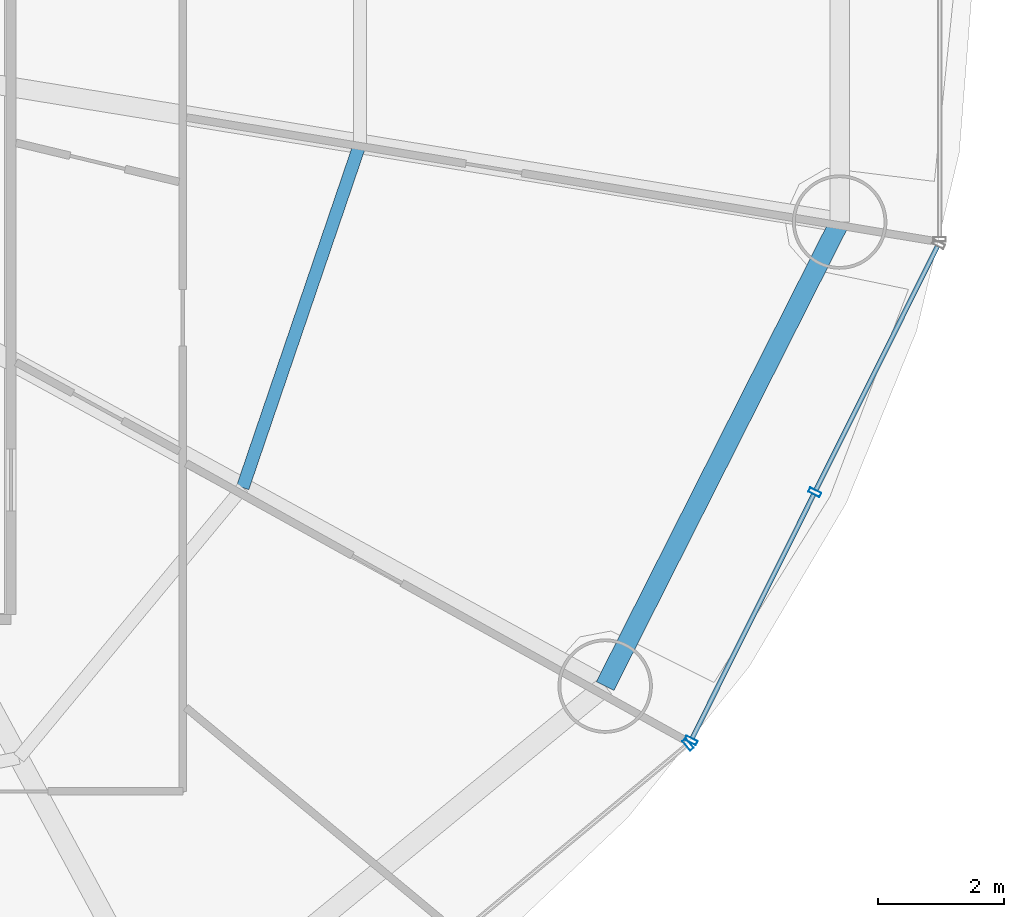
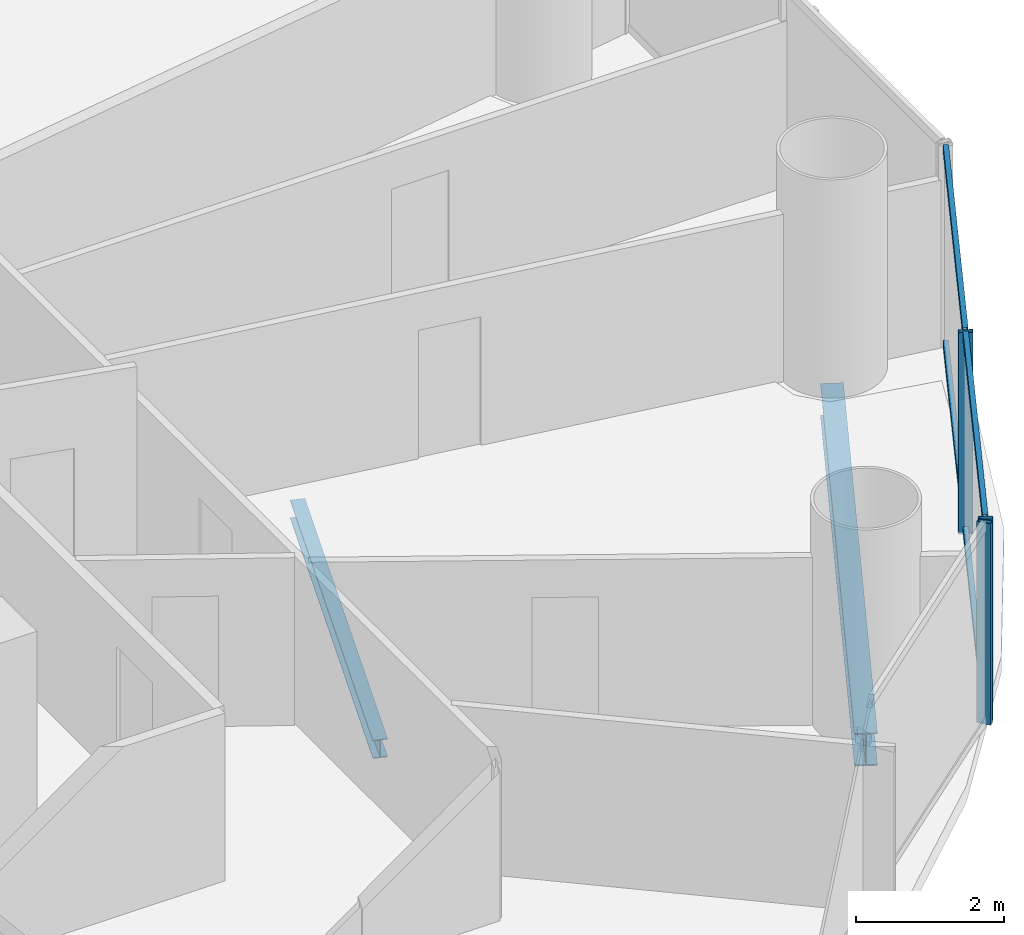
# One storey, part 13 of 29: 7 members, 2 beams, 2 elements without a shape of their own.
"""IFC4 building model written with IfcOpenShell, lengths in metres."""

from ifc_helpers import new_model, si_unit, direction, frame, origin, origin_2d, place, context, subcontext, project, spatial, hollow_rectangle, i_section, extrude, source, transform, mapped, material, material_profile, profile_set, type_object, element, aggregate, save


model = new_model("IFC4")

# Units and contexts
model_context = context("Model", 3, precision=1e-05, world=origin(), true_north=direction((-0.2419218956, 0.970295726276)))
body_context = subcontext(model_context, "Body", "Model", "MODEL_VIEW")
ifc_project = project(units=[si_unit("LENGTHUNIT", "METRE"), si_unit("AREAUNIT", "SQUARE_METRE"), si_unit("VOLUMEUNIT", "CUBIC_METRE"), si_unit("PLANEANGLEUNIT", "RADIAN"), si_unit("MASSUNIT", "GRAM", prefix="KILO")], contexts=[model_context])

# Site, building, storey
site_placement = place(None, origin())
site = spatial("IfcSite", under=ifc_project, at=site_placement, CompositionType="ELEMENT")
building_placement = place(site_placement, origin())
building = spatial("IfcBuilding", under=site, at=building_placement, Name="Cobrevalo Terracotta Tower", CompositionType="ELEMENT")
storey_placement = place(building_placement, frame((0.0, 0.0, 83.39990234375)))
storey = spatial("IfcBuildingStorey", under=building, at=storey_placement, Name="L21", CompositionType="ELEMENT", Elevation=83.39990234375)

# Beams
ifc_material_1 = material(Name="Steel S355", Category="steel")
ifc_material_profile_1 = material_profile(ifc_material_1, i_section(OverallWidth=0.2041015625, OverallDepth=0.305908203125, WebThickness=0.008544921875, FlangeThickness=0.0146484375, at=origin_2d()), Name="W 310x67")
ifc_profile_set_1 = profile_set([ifc_material_profile_1], Name="Steel S355")
beam_type_1 = type_object("IfcBeamType", Name="Structural Joist W 310x67 (Steel S355)", PredefinedType="JOIST", material=ifc_profile_set_1)
beam_1_placement = place(storey_placement, frame((52.987548828125, 18.591796875, -0.427978515625), z_axis=(0.322846227919, 0.946451431991, 0.0), x_axis=(-0.946451431991, 0.322846227919, 0.0)))
element("IfcBeam", 1, at=beam_1_placement, inside=storey, type_object=beam_type_1, Name="L21 circumferential secondary floor joist 15", PredefinedType="JOIST", context=body_context, shape_type="SweptSolid", body=[
    extrude(i_section(OverallWidth=0.2041015625, OverallDepth=0.305908203125, WebThickness=0.008544921875, FlangeThickness=0.0146484375, at=origin_2d()), origin(), (0.0, 0.0, 1.0), 5.77001953125),
])
ifc_material_profile_2 = material_profile(ifc_material_1, i_section(OverallWidth=0.31201171875, OverallDepth=0.54296875, WebThickness=0.0126953125, FlangeThickness=0.020263671875, at=origin_2d()), Name="W 530x150")
ifc_profile_set_2 = profile_set([ifc_material_profile_2], Name="Steel S355")
beam_type_2 = type_object("IfcBeamType", Name="Structural Spandrel W 530x150 (Steel S355)", PredefinedType="SPANDREL", material=ifc_profile_set_2)
beam_2_placement = place(storey_placement, frame((58.7451171875, 15.4384765625, -0.54638671875), z_axis=(0.451051982172, 0.892497680321, 0.0), x_axis=(-0.892497680321, 0.451051982172, 0.0)))
element("IfcBeam", 2, at=beam_2_placement, inside=storey, type_object=beam_type_2, Name="L21 perimeter ring spandrel 15", PredefinedType="SPANDREL", context=body_context, shape_type="SweptSolid", body=[
    extrude(i_section(OverallWidth=0.31201171875, OverallDepth=0.54296875, WebThickness=0.0126953125, FlangeThickness=0.020263671875, at=origin_2d()), origin(), (0.0, 0.0, 1.0), 8.259765625),
])

# Curtain wall, members
ifc_material_2 = material(Name="Anodized aluminium", Category="aluminium")
curtain_wall_type = type_object("IfcCurtainWallType", Name="Lower-tower unitised acoustic low-E curtain wall CW-U1", PredefinedType="NOTDEFINED", material=ifc_material_2)
curtain_wall_1_placement = place(storey_placement, origin())
curtain_wall_1 = element("IfcCurtainWall", 3, at=curtain_wall_1_placement, inside=storey, type_object=curtain_wall_type, Name="L21 curtain wall CW-L21-S15", PredefinedType="NOTDEFINED")
ifc_material_profile_3 = material_profile(ifc_material_2, hollow_rectangle(XDim=0.074951171875, YDim=0.14990234375, WallThickness=0.00439453125, at=origin_2d()), Name="CWT 75x150")
ifc_profile_set_3 = profile_set([ifc_material_profile_3], Name="Anodized aluminium")
member_type_1 = type_object("IfcMemberType", Name="Tower unitised aluminium transom 75x150", PredefinedType="USERDEFINED", material=ifc_profile_set_3)
shared_shape_1 = source(origin(), body_context, "Body", "SweptSolid", [
    extrude(hollow_rectangle(XDim=0.074951171875, YDim=0.14990234375, WallThickness=0.00439453125, at=origin_2d()), origin(), (0.0, 0.0, 1.0), 4.324951171875),
])
member_1_placement = place(storey_placement, frame((60.1279296875, 14.610107421875, 0.050048828125), z_axis=(0.446219838389, 0.894923379864, 0.0), x_axis=(-0.894923379864, 0.446219838389, 0.0)))
member_1 = element("IfcMember", 4, at=member_1_placement, type_object=member_type_1, Name="CW-L21-S15 transom B01-T1", ObjectType="TRANSOM", PredefinedType="USERDEFINED", context=body_context, shape_type="MappedRepresentation", body=[
    mapped(shared_shape_1, transform((0.0, 0.0, 0.0), scale=1.0)),
])
member_2_placement = place(storey_placement, frame((60.1279296875, 14.610107421875, 3.275146484375), z_axis=(0.446219838389, 0.894923379864, 0.0), x_axis=(-0.894923379864, 0.446219838389, 0.0)))
member_2 = element("IfcMember", 5, at=member_2_placement, type_object=member_type_1, Name="CW-L21-S15 transom B01-T2", ObjectType="TRANSOM", PredefinedType="USERDEFINED", context=body_context, shape_type="MappedRepresentation", body=[
    mapped(shared_shape_1, transform((0.0, 0.0, 0.0), scale=1.0)),
])
member_3_placement = place(storey_placement, frame((62.09375, 18.55224609375, 0.050048828125), z_axis=(0.446219838389, 0.894923379864, 0.0), x_axis=(-0.894923379864, 0.446219838389, 0.0)))
member_3 = element("IfcMember", 6, at=member_3_placement, type_object=member_type_1, Name="CW-L21-S15 transom B02-T1", ObjectType="TRANSOM", PredefinedType="USERDEFINED", context=body_context, shape_type="MappedRepresentation", body=[
    mapped(shared_shape_1, transform((0.0, 0.0, 0.0), scale=1.0)),
])
member_4_placement = place(storey_placement, frame((62.09375, 18.55224609375, 3.275146484375), z_axis=(0.446219838389, 0.894923379864, 0.0), x_axis=(-0.894923379864, 0.446219838389, 0.0)))
member_4 = element("IfcMember", 7, at=member_4_placement, type_object=member_type_1, Name="CW-L21-S15 transom B02-T2", ObjectType="TRANSOM", PredefinedType="USERDEFINED", context=body_context, shape_type="MappedRepresentation", body=[
    mapped(shared_shape_1, transform((0.0, 0.0, 0.0), scale=1.0)),
])

# Curtain wall, member
curtain_wall_2_placement = place(storey_placement, origin())
curtain_wall_2 = element("IfcCurtainWall", 8, at=curtain_wall_2_placement, inside=storey, type_object=curtain_wall_type, Name="L21 curtain wall CW-L21-S14", PredefinedType="NOTDEFINED")
ifc_material_profile_4 = material_profile(ifc_material_2, hollow_rectangle(XDim=0.074951171875, YDim=0.199951171875, WallThickness=0.0048828125, at=origin_2d()), Name="CWM 75x200")
ifc_profile_set_4 = profile_set([ifc_material_profile_4], Name="Anodized aluminium")
member_type_2 = type_object("IfcMemberType", Name="Lower/mid tower unitised mullion 75x200", PredefinedType="MULLION", material=ifc_profile_set_4)
shared_shape_2 = source(origin(), body_context, "Body", "SweptSolid", [
    extrude(hollow_rectangle(XDim=0.074951171875, YDim=0.199951171875, WallThickness=0.0048828125, at=origin_2d()), origin(), (0.0, 0.0, 1.0), 3.3251953125),
])
member_5_placement = place(storey_placement, frame((60.061279296875, 14.512939453125, 0.0), z_axis=(0.0, 0.0, 1.0), x_axis=(0.769243451658, 0.638955798222, 0.0)))
member_5 = element("IfcMember", 9, at=member_5_placement, type_object=member_type_2, Name="CW-L21-S14 vertical mullion 03", PredefinedType="MULLION", context=body_context, shape_type="MappedRepresentation", body=[
    mapped(shared_shape_2, transform((0.0, 0.0, 0.0), scale=1.0)),
])
aggregate(curtain_wall_2, [member_5])

# Member
member_6_placement = place(storey_placement, frame((60.110107421875, 14.574462890625, 0.0), z_axis=(0.0, 0.0, 1.0), x_axis=(0.446260290227, 0.894903208937, 0.0)))
member_6 = element("IfcMember", 10, at=member_6_placement, type_object=member_type_2, Name="CW-L21-S15 vertical mullion 01", PredefinedType="MULLION", context=body_context, shape_type="MappedRepresentation", body=[
    mapped(shared_shape_2, transform((0.0, 0.0, 0.0), scale=1.0)),
])

member_7_placement = place(storey_placement, frame((62.075927734375, 18.516357421875, 0.0), z_axis=(0.0, 0.0, 1.0), x_axis=(0.446260290227, 0.894903208937, 0.0)))
member_7 = element("IfcMember", 11, at=member_7_placement, type_object=member_type_2, Name="CW-L21-S15 vertical mullion 02", PredefinedType="MULLION", context=body_context, shape_type="MappedRepresentation", body=[
    mapped(shared_shape_2, transform((0.0, 0.0, 0.0), scale=1.0)),
])

aggregate(curtain_wall_1, [member_6, member_7, member_1, member_2, member_3, member_4])

save(model, "model.ifc")
